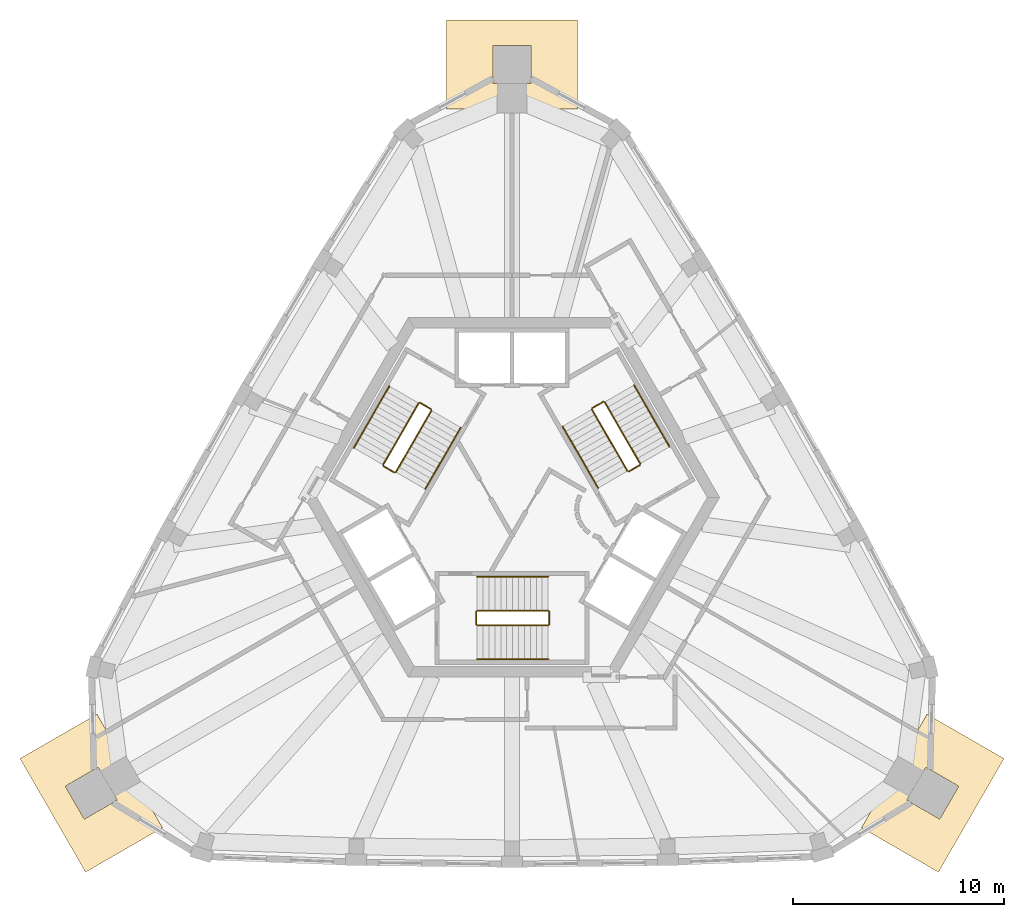
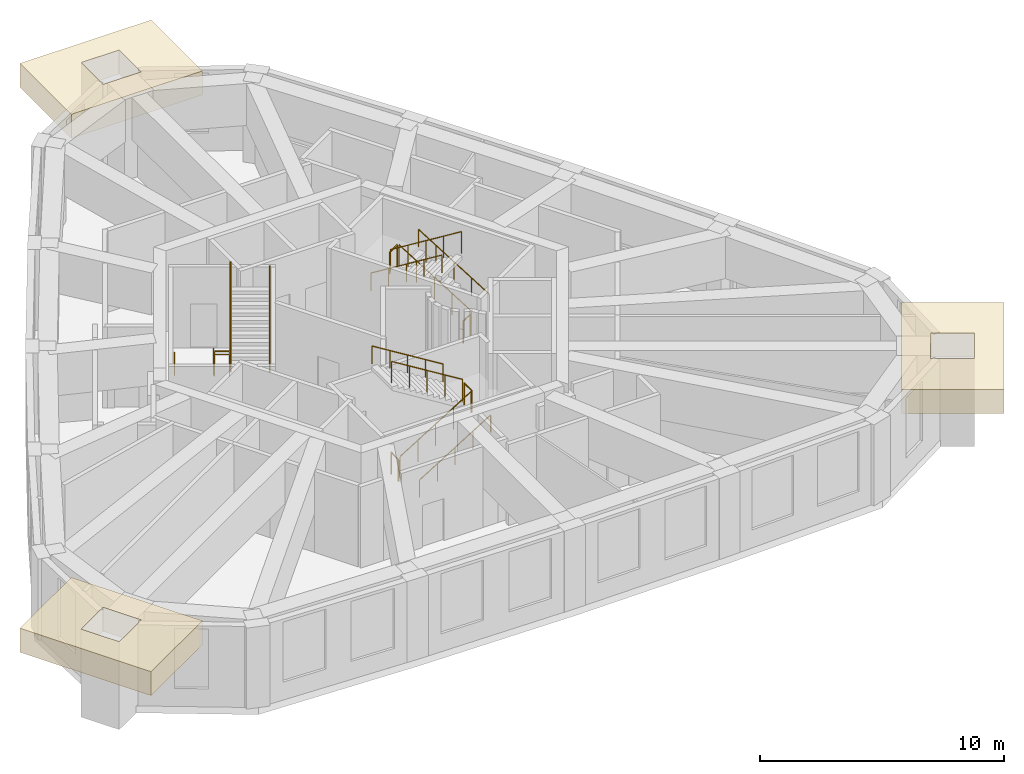
# One storey, part 8 of 8: 18 railings, 3 coverings.
"""IFC4 building model written with IfcOpenShell, lengths in metres."""

from ifc_helpers import new_model, si_unit, direction, frame, origin, origin_2d, place, context, subcontext, project, spatial, polyline, circle, outline, extrude, material, type_object, element, save


model = new_model("IFC4")

# Units and contexts
model_context = context("Model", 3, precision=1e-05, world=origin(), true_north=direction((0.0, 1.0)))
body_context = subcontext(model_context, "Body", "Model", "MODEL_VIEW")
ifc_project = project(units=[si_unit("LENGTHUNIT", "METRE"), si_unit("AREAUNIT", "SQUARE_METRE"), si_unit("VOLUMEUNIT", "CUBIC_METRE"), si_unit("PLANEANGLEUNIT", "RADIAN"), si_unit("MASSUNIT", "GRAM", prefix="KILO")], contexts=[model_context])

# Site, building, storey
site_placement = place(None, origin())
site = spatial("IfcSite", under=ifc_project, at=site_placement, CompositionType="ELEMENT")
building_placement = place(site_placement, origin())
building = spatial("IfcBuilding", under=site, at=building_placement, Name="Entoto Arch Interchange Tower", CompositionType="ELEMENT")
storey_placement = place(building_placement, frame((0.0, 0.0, 344.89990234375)))
storey = spatial("IfcBuildingStorey", under=building, at=storey_placement, Name="L81", CompositionType="ELEMENT", Elevation=344.89990234375)

# Coverings
ifc_material_1 = material(Name="Board-marked precast concrete C50/60", Category="concrete")
covering_type = type_object("IfcCoveringType", Name="PRECAST FRAME COURSE", PredefinedType="CLADDING", material=ifc_material_1)
covering_1_placement = place(storey_placement, frame((0.0, 0.0, 2.85009765625)))
element("IfcCovering", 1, at=covering_1_placement, inside=storey, type_object=covering_type, Name="Corner pilaster head SE L80-L81", PredefinedType="CLADDING", context=body_context, shape_type="SweptSolid", body=[
    extrude(outline(polyline([(23.26708984375, -9.85302734375), (20.1669921875, -15.222900390625), (16.529052734375, -13.123046875), (19.62890625, -7.7529296875), (23.26708984375, -9.85302734375)]), holes=[polyline([(18.6689453125, -11.81689453125), (20.22705078125, -12.717041015625), (21.126953125, -11.158935546875), (19.569091796875, -10.259033203125), (18.6689453125, -11.81689453125)])]), origin(), (0.0, 0.0, 1.0), 1.199951171875),
])
covering_2_placement = place(storey_placement, frame((0.0, 0.0, 2.85009765625)))
element("IfcCovering", 2, at=covering_2_placement, inside=storey, type_object=covering_type, Name="Corner pilaster head N L80-L81", PredefinedType="CLADDING", context=body_context, shape_type="SweptSolid", body=[
    extrude(outline(polyline([(-3.10009765625, 25.075927734375), (3.10009765625, 25.075927734375), (3.10009765625, 20.8759765625), (-3.10009765625, 20.8759765625), (-3.10009765625, 25.075927734375)]), holes=[polyline([(0.89990234375, 22.075927734375), (0.89990234375, 23.8759765625), (-0.89990234375, 23.8759765625), (-0.89990234375, 22.075927734375), (0.89990234375, 22.075927734375)])]), origin(), (0.0, 0.0, 1.0), 1.199951171875),
])
covering_3_placement = place(storey_placement, frame((0.0, 0.0, 2.85009765625)))
element("IfcCovering", 3, at=covering_3_placement, inside=storey, type_object=covering_type, Name="Corner pilaster head SW L80-L81", PredefinedType="CLADDING", context=body_context, shape_type="SweptSolid", body=[
    extrude(outline(polyline([(-20.1669921875, -15.222900390625), (-23.26708984375, -9.85302734375), (-19.62890625, -7.7529296875), (-16.529052734375, -13.123046875), (-20.1669921875, -15.222900390625)]), holes=[polyline([(-19.569091796875, -10.259033203125), (-21.126953125, -11.158935546875), (-20.22705078125, -12.717041015625), (-18.6689453125, -11.81689453125), (-19.569091796875, -10.259033203125)])]), origin(), (0.0, 0.0, 1.0), 1.199951171875),
])

# Railings
ifc_material_2 = material(Name="Stainless steel 1.4301", Category="steel")
railing_type_1 = type_object("IfcRailingType", Name="STAIR GUARD 1100 STEEL", PredefinedType="GUARDRAIL", material=ifc_material_2)
railing_1_placement = place(storey_placement, frame((-1.64990234375, -3.550048828125, 0.173095703125)))
element("IfcRailing", 4, at=railing_1_placement, inside=storey, type_object=railing_type_1, Name="L81 ST-S stair guard 1", PredefinedType="GUARDRAIL", context=body_context, shape_type="SweptSolid", body=[
    extrude(circle(Radius=0.02392578125, at=origin_2d()), frame((0.0, 0.0, 1.076171875), z_axis=(0.850606129759, 0.0, 0.525803396734), x_axis=(0.0, 1.0, 0.0)), (0.0, 0.0, 1.0), 3.949951171875),
    extrude(circle(Radius=0.02099609375, at=origin_2d()), origin(), (0.0, 0.0, 1.0), 1.052001953125),
    extrude(circle(Radius=0.02099609375, at=origin_2d()), frame((0.83984375, 0.0, 0.519287109375)), (0.0, 0.0, 1.0), 1.052001953125),
    extrude(circle(Radius=0.02099609375, at=origin_2d()), frame((1.679931640625, 0.0, 1.03857421875)), (0.0, 0.0, 1.0), 1.052001953125),
    extrude(circle(Radius=0.02099609375, at=origin_2d()), frame((2.52001953125, 0.0, 1.5576171875)), (0.0, 0.0, 1.0), 1.052001953125),
    extrude(circle(Radius=0.02099609375, at=origin_2d()), frame((3.35986328125, 0.0, 2.076904296875)), (0.0, 0.0, 1.0), 1.052001953125),
])
railing_2_placement = place(storey_placement, frame((1.760009765625, -3.5, 2.25)))
element("IfcRailing", 5, at=railing_2_placement, inside=storey, type_object=railing_type_1, Name="L81 ST-S stair guard 2", PredefinedType="GUARDRAIL", context=body_context, shape_type="SweptSolid", body=[
    extrude(circle(Radius=0.02392578125, at=origin_2d()), frame((0.0, 0.0, 1.076171875), z_axis=(0.0, 1.0, 0.0), x_axis=(-1.0, 0.0, 0.0)), (0.0, 0.0, 1.0), 0.60009765625),
    extrude(circle(Radius=0.02099609375, at=origin_2d()), origin(), (0.0, 0.0, 1.0), 1.052001953125),
    extrude(circle(Radius=0.02099609375, at=origin_2d()), frame((0.0, 0.60009765625, 0.0)), (0.0, 0.0, 1.0), 1.052001953125),
])
railing_3_placement = place(storey_placement, frame((1.7099609375, -2.85009765625, 2.423095703125)))
element("IfcRailing", 6, at=railing_3_placement, inside=storey, type_object=railing_type_1, Name="L81 ST-S stair guard 3", PredefinedType="GUARDRAIL", context=body_context, shape_type="SweptSolid", body=[
    extrude(circle(Radius=0.02392578125, at=origin_2d()), frame((0.0, 0.0, 1.076171875), z_axis=(-0.850606129759, 0.0, 0.525803396734), x_axis=(0.0, -1.0, 0.0)), (0.0, 0.0, 1.0), 3.949951171875),
    extrude(circle(Radius=0.02099609375, at=origin_2d()), origin(), (0.0, 0.0, 1.0), 1.052001953125),
    extrude(circle(Radius=0.02099609375, at=origin_2d()), frame((-0.83984375, 0.0, 0.519287109375)), (0.0, 0.0, 1.0), 1.052001953125),
    extrude(circle(Radius=0.02099609375, at=origin_2d()), frame((-1.679931640625, 0.0, 1.03857421875)), (0.0, 0.0, 1.0), 1.052001953125),
    extrude(circle(Radius=0.02099609375, at=origin_2d()), frame((-2.52001953125, 0.0, 1.5576171875)), (0.0, 0.0, 1.0), 1.052001953125),
    extrude(circle(Radius=0.02099609375, at=origin_2d()), frame((-3.35986328125, 0.0, 2.076904296875)), (0.0, 0.0, 1.0), 1.052001953125),
])
railing_4_placement = place(storey_placement, frame((-1.699951171875, -3.5, 0.0)))
element("IfcRailing", 7, at=railing_4_placement, inside=storey, type_object=railing_type_1, Name="L81 ST-S stair guard 4", PredefinedType="GUARDRAIL", context=body_context, shape_type="SweptSolid", body=[
    extrude(circle(Radius=0.02392578125, at=origin_2d()), frame((0.0, 0.0, 1.076171875), z_axis=(0.0, 1.0, 0.0), x_axis=(-1.0, 0.0, 0.0)), (0.0, 0.0, 1.0), 0.60009765625),
    extrude(circle(Radius=0.02099609375, at=origin_2d()), origin(), (0.0, 0.0, 1.0), 1.052001953125),
    extrude(circle(Radius=0.02099609375, at=origin_2d()), frame((0.0, 0.60009765625, 0.0)), (0.0, 0.0, 1.0), 1.052001953125),
])
railing_5_placement = place(storey_placement, frame((6.064453125, 4.095947265625, 0.173095703125)))
element("IfcRailing", 8, at=railing_5_placement, inside=storey, type_object=railing_type_1, Name="L81 ST-NE stair guard 1", PredefinedType="GUARDRAIL", context=body_context, shape_type="SweptSolid", body=[
    extrude(circle(Radius=0.02392578125, at=origin_2d()), frame((0.0, 0.0, 1.076171875), z_axis=(-0.425288379326, 0.736667954249, 0.525785240943), x_axis=(-0.866039179741, -0.499976138585, 0.0)), (0.0, 0.0, 1.0), 3.9501953125),
    extrude(circle(Radius=0.02099609375, at=origin_2d()), origin(), (0.0, 0.0, 1.0), 1.052001953125),
    extrude(circle(Radius=0.02099609375, at=origin_2d()), frame((-0.419921875, 0.7275390625, 0.519287109375)), (0.0, 0.0, 1.0), 1.052001953125),
    extrude(circle(Radius=0.02099609375, at=origin_2d()), frame((-0.83984375, 1.455078125, 1.03857421875)), (0.0, 0.0, 1.0), 1.052001953125),
    extrude(circle(Radius=0.02099609375, at=origin_2d()), frame((-1.260009765625, 2.182373046875, 1.5576171875)), (0.0, 0.0, 1.0), 1.052001953125),
    extrude(circle(Radius=0.02099609375, at=origin_2d()), frame((-1.679931640625, 2.909912109375, 2.076904296875)), (0.0, 0.0, 1.0), 1.052001953125),
])
railing_6_placement = place(storey_placement, frame((4.316162109375, 7.024169921875, 2.25)))
element("IfcRailing", 9, at=railing_6_placement, inside=storey, type_object=railing_type_1, Name="L81 ST-NE stair guard 2", PredefinedType="GUARDRAIL", context=body_context, shape_type="SweptSolid", body=[
    extrude(circle(Radius=0.02392578125, at=origin_2d()), frame((0.0, 0.0, 1.076171875), z_axis=(-0.865955154139, -0.50012165622, 0.0), x_axis=(0.50012165622, -0.865955154139, 0.0)), (0.0, 0.0, 1.0), 0.599853515625),
    extrude(circle(Radius=0.02099609375, at=origin_2d()), origin(), (0.0, 0.0, 1.0), 1.052001953125),
    extrude(circle(Radius=0.02099609375, at=origin_2d()), frame((-0.51953125, -0.300048828125, 0.0)), (0.0, 0.0, 1.0), 1.052001953125),
])
railing_7_placement = place(storey_placement, frame((3.7783203125, 6.656005859375, 2.423095703125)))
element("IfcRailing", 10, at=railing_7_placement, inside=storey, type_object=railing_type_1, Name="L81 ST-NE stair guard 3", PredefinedType="GUARDRAIL", context=body_context, shape_type="SweptSolid", body=[
    extrude(circle(Radius=0.02392578125, at=origin_2d()), frame((0.0, 0.0, 1.076171875), z_axis=(0.425288379326, -0.736667954249, 0.525785240943), x_axis=(0.866039179741, 0.499976138585, 0.0)), (0.0, 0.0, 1.0), 3.9501953125),
    extrude(circle(Radius=0.02099609375, at=origin_2d()), origin(), (0.0, 0.0, 1.0), 1.052001953125),
    extrude(circle(Radius=0.02099609375, at=origin_2d()), frame((0.419921875, -0.7275390625, 0.519287109375)), (0.0, 0.0, 1.0), 1.052001953125),
    extrude(circle(Radius=0.02099609375, at=origin_2d()), frame((0.83984375, -1.455078125, 1.03857421875)), (0.0, 0.0, 1.0), 1.052001953125),
    extrude(circle(Radius=0.02099609375, at=origin_2d()), frame((1.260009765625, -2.182373046875, 1.5576171875)), (0.0, 0.0, 1.0), 1.052001953125),
    extrude(circle(Radius=0.02099609375, at=origin_2d()), frame((1.679931640625, -2.909912109375, 2.076904296875)), (0.0, 0.0, 1.0), 1.052001953125),
])
railing_8_placement = place(storey_placement, frame((6.046142578125, 4.02783203125, 0.0)))
element("IfcRailing", 11, at=railing_8_placement, inside=storey, type_object=railing_type_1, Name="L81 ST-NE stair guard 4", PredefinedType="GUARDRAIL", context=body_context, shape_type="SweptSolid", body=[
    extrude(circle(Radius=0.02392578125, at=origin_2d()), frame((0.0, 0.0, 1.076171875), z_axis=(-0.865955154139, -0.50012165622, 0.0), x_axis=(0.50012165622, -0.865955154139, 0.0)), (0.0, 0.0, 1.0), 0.599853515625),
    extrude(circle(Radius=0.02099609375, at=origin_2d()), origin(), (0.0, 0.0, 1.0), 1.052001953125),
    extrude(circle(Radius=0.02099609375, at=origin_2d()), frame((-0.51953125, -0.300048828125, 0.0)), (0.0, 0.0, 1.0), 1.052001953125),
])
railing_9_placement = place(storey_placement, frame((-4.41455078125, 6.953857421875, 0.173095703125)))
element("IfcRailing", 12, at=railing_9_placement, inside=storey, type_object=railing_type_1, Name="L81 ST-NW stair guard 1", PredefinedType="GUARDRAIL", context=body_context, shape_type="SweptSolid", body=[
    extrude(circle(Radius=0.02392578125, at=origin_2d()), frame((0.0, 0.0, 1.076171875), z_axis=(-0.425307743487, -0.736639687092, 0.525809180911), x_axis=(0.866021014662, -0.500007602105, 0.0)), (0.0, 0.0, 1.0), 3.949951171875),
    extrude(circle(Radius=0.02099609375, at=origin_2d()), origin(), (0.0, 0.0, 1.0), 1.052001953125),
    extrude(circle(Radius=0.02099609375, at=origin_2d()), frame((-0.419921875, -0.7275390625, 0.519287109375)), (0.0, 0.0, 1.0), 1.052001953125),
    extrude(circle(Radius=0.02099609375, at=origin_2d()), frame((-0.83984375, -1.454833984375, 1.03857421875)), (0.0, 0.0, 1.0), 1.052001953125),
    extrude(circle(Radius=0.02099609375, at=origin_2d()), frame((-1.260009765625, -2.18212890625, 1.5576171875)), (0.0, 0.0, 1.0), 1.052001953125),
    extrude(circle(Radius=0.02099609375, at=origin_2d()), frame((-1.679931640625, -2.90966796875, 2.076904296875)), (0.0, 0.0, 1.0), 1.052001953125),
])
railing_10_placement = place(storey_placement, frame((-6.076171875, 3.975830078125, 2.25)))
element("IfcRailing", 13, at=railing_10_placement, inside=storey, type_object=railing_type_1, Name="L81 ST-NW stair guard 2", PredefinedType="GUARDRAIL", context=body_context, shape_type="SweptSolid", body=[
    extrude(circle(Radius=0.02392578125, at=origin_2d()), frame((0.0, 0.0, 1.076171875), z_axis=(0.865955154139, -0.50012165622, 0.0), x_axis=(0.50012165622, 0.865955154139, 0.0)), (0.0, 0.0, 1.0), 0.599853515625),
    extrude(circle(Radius=0.02099609375, at=origin_2d()), origin(), (0.0, 0.0, 1.0), 1.052001953125),
    extrude(circle(Radius=0.02099609375, at=origin_2d()), frame((0.51953125, -0.300048828125, 0.0)), (0.0, 0.0, 1.0), 1.052001953125),
])
railing_11_placement = place(storey_placement, frame((-5.48828125, 3.694091796875, 2.423095703125)))
element("IfcRailing", 14, at=railing_11_placement, inside=storey, type_object=railing_type_1, Name="L81 ST-NW stair guard 3", PredefinedType="GUARDRAIL", context=body_context, shape_type="SweptSolid", body=[
    extrude(circle(Radius=0.02392578125, at=origin_2d()), frame((0.0, 0.0, 1.076171875), z_axis=(0.425288379326, 0.736667954249, 0.525785240943), x_axis=(-0.866039179741, 0.499976138585, 0.0)), (0.0, 0.0, 1.0), 3.9501953125),
    extrude(circle(Radius=0.02099609375, at=origin_2d()), origin(), (0.0, 0.0, 1.0), 1.052001953125),
    extrude(circle(Radius=0.02099609375, at=origin_2d()), frame((0.419921875, 0.7275390625, 0.519287109375)), (0.0, 0.0, 1.0), 1.052001953125),
    extrude(circle(Radius=0.02099609375, at=origin_2d()), frame((0.83984375, 1.455078125, 1.03857421875)), (0.0, 0.0, 1.0), 1.052001953125),
    extrude(circle(Radius=0.02099609375, at=origin_2d()), frame((1.260009765625, 2.182373046875, 1.5576171875)), (0.0, 0.0, 1.0), 1.052001953125),
    extrude(circle(Radius=0.02099609375, at=origin_2d()), frame((1.679931640625, 2.909912109375, 2.076904296875)), (0.0, 0.0, 1.0), 1.052001953125),
])
railing_12_placement = place(storey_placement, frame((-4.34619140625, 6.97216796875, 0.0)))
element("IfcRailing", 15, at=railing_12_placement, inside=storey, type_object=railing_type_1, Name="L81 ST-NW stair guard 4", PredefinedType="GUARDRAIL", context=body_context, shape_type="SweptSolid", body=[
    extrude(circle(Radius=0.02392578125, at=origin_2d()), frame((0.0, 0.0, 1.076171875), z_axis=(0.866232998003, -0.499640263761, 0.0), x_axis=(0.499640263761, 0.866232998003, 0.0)), (0.0, 0.0, 1.0), 0.60009765625),
    extrude(circle(Radius=0.02099609375, at=origin_2d()), origin(), (0.0, 0.0, 1.0), 1.052001953125),
    extrude(circle(Radius=0.02099609375, at=origin_2d()), frame((0.519775390625, -0.2998046875, 0.0)), (0.0, 0.0, 1.0), 1.052001953125),
])
railing_type_2 = type_object("IfcRailingType", Name="STAIR HANDRAIL 900 STEEL", PredefinedType="HANDRAIL", material=ifc_material_2)
railing_13_placement = place(storey_placement, frame((-1.64990234375, -5.14990234375, 0.173095703125)))
element("IfcRailing", 16, at=railing_13_placement, inside=storey, type_object=railing_type_2, Name="L81 ST-S stair handrail 1", PredefinedType="HANDRAIL", context=body_context, shape_type="SweptSolid", body=[
    extrude(circle(Radius=0.02392578125, at=origin_2d()), frame((0.0, 0.0, 0.8759765625), z_axis=(0.850606129759, 0.0, 0.525803396734), x_axis=(0.0, 1.0, 0.0)), (0.0, 0.0, 1.0), 3.949951171875),
    extrude(circle(Radius=0.02099609375, at=origin_2d()), origin(), (0.0, 0.0, 1.0), 0.851806640625),
    extrude(circle(Radius=0.02099609375, at=origin_2d()), frame((0.83984375, 0.0, 0.519287109375)), (0.0, 0.0, 1.0), 0.851806640625),
    extrude(circle(Radius=0.02099609375, at=origin_2d()), frame((1.679931640625, 0.0, 1.03857421875)), (0.0, 0.0, 1.0), 0.851806640625),
    extrude(circle(Radius=0.02099609375, at=origin_2d()), frame((2.52001953125, 0.0, 1.5576171875)), (0.0, 0.0, 1.0), 0.851806640625),
    extrude(circle(Radius=0.02099609375, at=origin_2d()), frame((3.35986328125, 0.0, 2.076904296875)), (0.0, 0.0, 1.0), 0.851806640625),
])
railing_14_placement = place(storey_placement, frame((1.7099609375, -1.25, 2.423095703125)))
element("IfcRailing", 17, at=railing_14_placement, inside=storey, type_object=railing_type_2, Name="L81 ST-S stair handrail 2", PredefinedType="HANDRAIL", context=body_context, shape_type="SweptSolid", body=[
    extrude(circle(Radius=0.02392578125, at=origin_2d()), frame((0.0, 0.0, 0.8759765625), z_axis=(-0.850606129759, 0.0, 0.525803396734), x_axis=(0.0, -1.0, 0.0)), (0.0, 0.0, 1.0), 3.949951171875),
    extrude(circle(Radius=0.02099609375, at=origin_2d()), origin(), (0.0, 0.0, 1.0), 0.851806640625),
    extrude(circle(Radius=0.02099609375, at=origin_2d()), frame((-0.83984375, 0.0, 0.519287109375)), (0.0, 0.0, 1.0), 0.851806640625),
    extrude(circle(Radius=0.02099609375, at=origin_2d()), frame((-1.679931640625, 0.0, 1.03857421875)), (0.0, 0.0, 1.0), 0.851806640625),
    extrude(circle(Radius=0.02099609375, at=origin_2d()), frame((-2.52001953125, 0.0, 1.5576171875)), (0.0, 0.0, 1.0), 0.851806640625),
    extrude(circle(Radius=0.02099609375, at=origin_2d()), frame((-3.35986328125, 0.0, 2.076904296875)), (0.0, 0.0, 1.0), 0.851806640625),
])
railing_15_placement = place(storey_placement, frame((7.4501953125, 4.89599609375, 0.173095703125)))
element("IfcRailing", 18, at=railing_15_placement, inside=storey, type_object=railing_type_2, Name="L81 ST-NE stair handrail 1", PredefinedType="HANDRAIL", context=body_context, shape_type="SweptSolid", body=[
    extrude(circle(Radius=0.02392578125, at=origin_2d()), frame((0.0, 0.0, 0.8759765625), z_axis=(-0.42533900462, 0.736648589954, 0.52577141998), x_axis=(-0.866007717299, -0.500030632641, 0.0)), (0.0, 0.0, 1.0), 3.9501953125),
    extrude(circle(Radius=0.02099609375, at=origin_2d()), origin(), (0.0, 0.0, 1.0), 0.851806640625),
    extrude(circle(Radius=0.02099609375, at=origin_2d()), frame((-0.419921875, 0.7275390625, 0.519287109375)), (0.0, 0.0, 1.0), 0.851806640625),
    extrude(circle(Radius=0.02099609375, at=origin_2d()), frame((-0.840087890625, 1.455078125, 1.03857421875)), (0.0, 0.0, 1.0), 0.851806640625),
    extrude(circle(Radius=0.02099609375, at=origin_2d()), frame((-1.26025390625, 2.182373046875, 1.5576171875)), (0.0, 0.0, 1.0), 0.851806640625),
    extrude(circle(Radius=0.02099609375, at=origin_2d()), frame((-1.68017578125, 2.909912109375, 2.076904296875)), (0.0, 0.0, 1.0), 0.851806640625),
])
railing_16_placement = place(storey_placement, frame((2.392578125, 5.85595703125, 2.423095703125)))
element("IfcRailing", 19, at=railing_16_placement, inside=storey, type_object=railing_type_2, Name="L81 ST-NE stair handrail 2", PredefinedType="HANDRAIL", context=body_context, shape_type="SweptSolid", body=[
    extrude(circle(Radius=0.02392578125, at=origin_2d()), frame((0.0, 0.0, 0.8759765625), z_axis=(0.425288379326, -0.736667954249, 0.525785240943), x_axis=(0.866039179741, 0.499976138585, 0.0)), (0.0, 0.0, 1.0), 3.9501953125),
    extrude(circle(Radius=0.02099609375, at=origin_2d()), origin(), (0.0, 0.0, 1.0), 0.851806640625),
    extrude(circle(Radius=0.02099609375, at=origin_2d()), frame((0.419921875, -0.7275390625, 0.519287109375)), (0.0, 0.0, 1.0), 0.851806640625),
    extrude(circle(Radius=0.02099609375, at=origin_2d()), frame((0.83984375, -1.455078125, 1.03857421875)), (0.0, 0.0, 1.0), 0.851806640625),
    extrude(circle(Radius=0.02099609375, at=origin_2d()), frame((1.260009765625, -2.182373046875, 1.5576171875)), (0.0, 0.0, 1.0), 0.851806640625),
    extrude(circle(Radius=0.02099609375, at=origin_2d()), frame((1.679931640625, -2.909912109375, 2.076904296875)), (0.0, 0.0, 1.0), 0.851806640625),
])
railing_17_placement = place(storey_placement, frame((-5.800048828125, 7.75390625, 0.173095703125)))
element("IfcRailing", 20, at=railing_17_placement, inside=storey, type_object=railing_type_2, Name="L81 ST-NW stair handrail 1", PredefinedType="HANDRAIL", context=body_context, shape_type="SweptSolid", body=[
    extrude(circle(Radius=0.02392578125, at=origin_2d()), frame((0.0, 0.0, 0.8759765625), z_axis=(-0.425288379326, -0.736667954249, 0.525785240943), x_axis=(0.866039179741, -0.499976138585, 0.0)), (0.0, 0.0, 1.0), 3.9501953125),
    extrude(circle(Radius=0.02099609375, at=origin_2d()), origin(), (0.0, 0.0, 1.0), 0.851806640625),
    extrude(circle(Radius=0.02099609375, at=origin_2d()), frame((-0.419921875, -0.7275390625, 0.519287109375)), (0.0, 0.0, 1.0), 0.851806640625),
    extrude(circle(Radius=0.02099609375, at=origin_2d()), frame((-0.83984375, -1.455078125, 1.03857421875)), (0.0, 0.0, 1.0), 0.851806640625),
    extrude(circle(Radius=0.02099609375, at=origin_2d()), frame((-1.260009765625, -2.182373046875, 1.5576171875)), (0.0, 0.0, 1.0), 0.851806640625),
    extrude(circle(Radius=0.02099609375, at=origin_2d()), frame((-1.679931640625, -2.909912109375, 2.076904296875)), (0.0, 0.0, 1.0), 0.851806640625),
])
railing_18_placement = place(storey_placement, frame((-4.1025390625, 2.89404296875, 2.423095703125)))
element("IfcRailing", 21, at=railing_18_placement, inside=storey, type_object=railing_type_2, Name="L81 ST-NW stair handrail 2", PredefinedType="HANDRAIL", context=body_context, shape_type="SweptSolid", body=[
    extrude(circle(Radius=0.02392578125, at=origin_2d()), frame((0.0, 0.0, 0.8759765625), z_axis=(0.425288379326, 0.736667954249, 0.525785240943), x_axis=(-0.866039179741, 0.499976138585, 0.0)), (0.0, 0.0, 1.0), 3.9501953125),
    extrude(circle(Radius=0.02099609375, at=origin_2d()), origin(), (0.0, 0.0, 1.0), 0.851806640625),
    extrude(circle(Radius=0.02099609375, at=origin_2d()), frame((0.419921875, 0.7275390625, 0.519287109375)), (0.0, 0.0, 1.0), 0.851806640625),
    extrude(circle(Radius=0.02099609375, at=origin_2d()), frame((0.83984375, 1.455078125, 1.03857421875)), (0.0, 0.0, 1.0), 0.851806640625),
    extrude(circle(Radius=0.02099609375, at=origin_2d()), frame((1.260009765625, 2.182373046875, 1.5576171875)), (0.0, 0.0, 1.0), 0.851806640625),
    extrude(circle(Radius=0.02099609375, at=origin_2d()), frame((1.679931640625, 2.909912109375, 2.076904296875)), (0.0, 0.0, 1.0), 0.851806640625),
])

save(model, "model.ifc")
